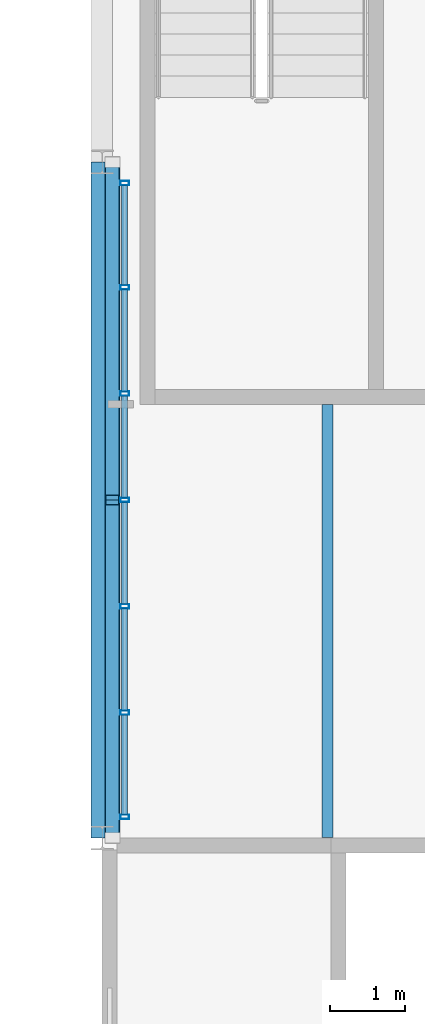
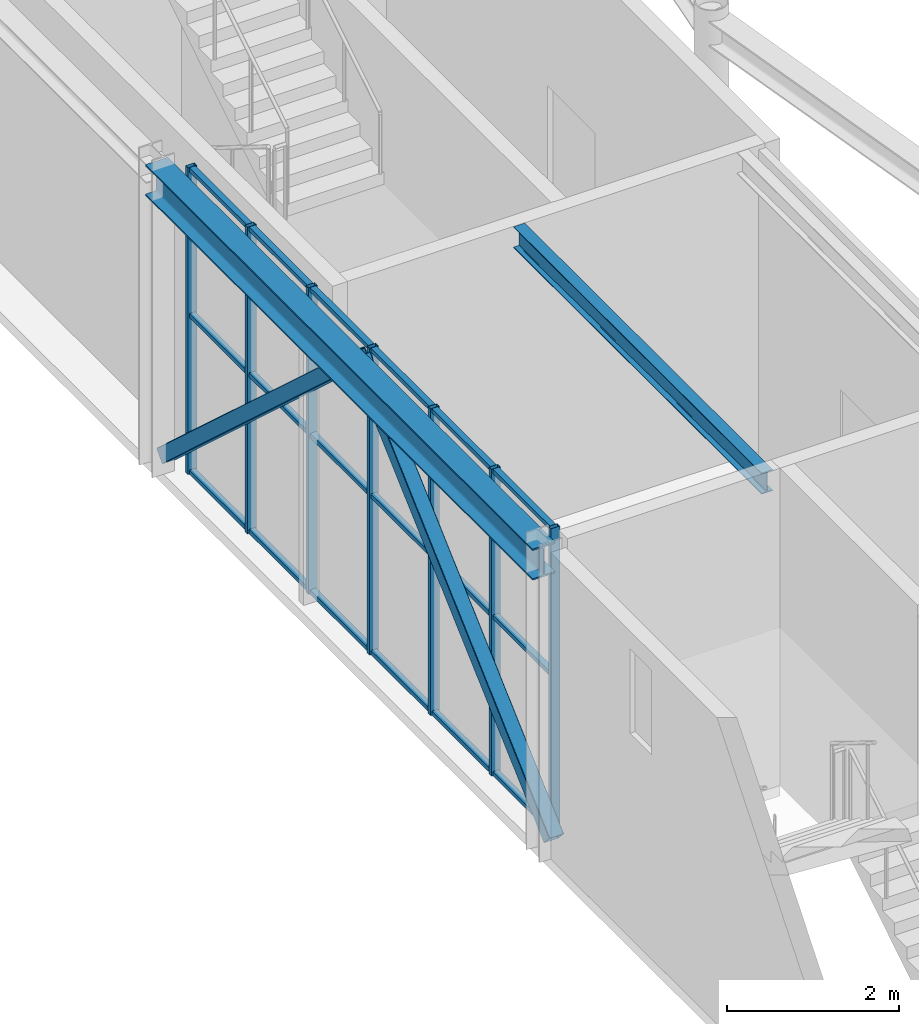
# One storey, part 29 of 111: 27 members, 2 beams, 1 element without a shape of its own.
"""IFC4 building model written with IfcOpenShell, lengths in metres."""

from ifc_helpers import new_model, si_unit, direction, frame, origin, origin_2d, place, context, subcontext, project, spatial, hollow_rectangle, i_section, extrude, material, layer, layer_set, material_profile, profile_set, type_object, element, aggregate, save


model = new_model("IFC4")

# Units and contexts
model_context = context("Model", 3, precision=1e-05, world=origin(), true_north=direction((0.0, 1.0)))
body_context = subcontext(model_context, "Body", "Model", "MODEL_VIEW")
ifc_project = project(units=[si_unit("LENGTHUNIT", "METRE"), si_unit("AREAUNIT", "SQUARE_METRE"), si_unit("VOLUMEUNIT", "CUBIC_METRE"), si_unit("PLANEANGLEUNIT", "RADIAN"), si_unit("MASSUNIT", "GRAM", prefix="KILO")], contexts=[model_context])

# Site, building, storey
site_placement = place(None, origin())
site = spatial("IfcSite", under=ifc_project, at=site_placement, CompositionType="ELEMENT")
building_placement = place(site_placement, origin())
building = spatial("IfcBuilding", under=site, at=building_placement, Name="Kallimachos Central Library", CompositionType="ELEMENT")
storey_placement = place(building_placement, frame((0.0, 0.0, 14.39990234375)))
storey = spatial("IfcBuildingStorey", under=building, at=storey_placement, Name="L03", CompositionType="ELEMENT", Elevation=14.39990234375)

# Curtain wall, members
ifc_material_1 = material(Name="Anodised aluminium and laminated glass", Category="aluminium")
ifc_layer = layer(ifc_material_1, 0.159912109375)
ifc_layer_set = layer_set([ifc_layer], Name="Glass box curtain wall")
curtain_wall_type = type_object("IfcCurtainWallType", Name="Glass box curtain wall", PredefinedType="NOTDEFINED", material=ifc_layer_set)
curtain_wall_placement = place(storey_placement, origin())
curtain_wall = element("IfcCurtainWall", 1, at=curtain_wall_placement, inside=storey, type_object=curtain_wall_type, Name="Glass box curtain wall W L03", PredefinedType="NOTDEFINED")
ifc_material_2 = material(Name="Anodised aluminium", Category="aluminium")
ifc_material_profile_1 = material_profile(ifc_material_2, hollow_rectangle(XDim=0.06005859375, YDim=0.1201171875, WallThickness=0.00390625, at=origin_2d()), Name="ALU MULLION 60x120")
ifc_profile_set_1 = profile_set([ifc_material_profile_1], Name="Anodised aluminium")
member_type_1 = type_object("IfcMemberType", Name="Glass box mullion 60x120", PredefinedType="MULLION", material=ifc_profile_set_1)
member_1_placement = place(storey_placement, frame((65.800048828125, 96.280029296875, 0.0), z_axis=(0.0, 0.0, 1.0), x_axis=(0.0, 1.0, 0.0)))
member_1 = element("IfcMember", 2, at=member_1_placement, type_object=member_type_1, Name="CW23 mullion 1", PredefinedType="MULLION", context=body_context, shape_type="SweptSolid", body=[
    extrude(hollow_rectangle(XDim=0.06005859375, YDim=0.1201171875, WallThickness=0.00390625, at=origin_2d()), origin(), (0.0, 0.0, 1.0), 4.35009765625),
])
member_2_placement = place(storey_placement, frame((65.800048828125, 97.666748046875, 0.0), z_axis=(0.0, 0.0, 1.0), x_axis=(0.0, 1.0, 0.0)))
member_2 = element("IfcMember", 3, at=member_2_placement, type_object=member_type_1, Name="CW23 mullion 2", PredefinedType="MULLION", context=body_context, shape_type="SweptSolid", body=[
    extrude(hollow_rectangle(XDim=0.06005859375, YDim=0.1201171875, WallThickness=0.00390625, at=origin_2d()), origin(), (0.0, 0.0, 1.0), 4.35009765625),
])
member_3_placement = place(storey_placement, frame((65.800048828125, 99.083251953125, 0.0), z_axis=(0.0, 0.0, 1.0), x_axis=(0.0, 1.0, 0.0)))
member_3 = element("IfcMember", 4, at=member_3_placement, type_object=member_type_1, Name="CW23 mullion 3", PredefinedType="MULLION", context=body_context, shape_type="SweptSolid", body=[
    extrude(hollow_rectangle(XDim=0.06005859375, YDim=0.1201171875, WallThickness=0.00390625, at=origin_2d()), origin(), (0.0, 0.0, 1.0), 4.35009765625),
])
member_4_placement = place(storey_placement, frame((65.800048828125, 100.5, 0.0), z_axis=(0.0, 0.0, 1.0), x_axis=(0.0, 1.0, 0.0)))
member_4 = element("IfcMember", 5, at=member_4_placement, type_object=member_type_1, Name="CW23 mullion 4", PredefinedType="MULLION", context=body_context, shape_type="SweptSolid", body=[
    extrude(hollow_rectangle(XDim=0.06005859375, YDim=0.1201171875, WallThickness=0.00390625, at=origin_2d()), origin(), (0.0, 0.0, 1.0), 4.35009765625),
])
member_5_placement = place(storey_placement, frame((65.800048828125, 101.916748046875, 0.0), z_axis=(0.0, 0.0, 1.0), x_axis=(0.0, 1.0, 0.0)))
member_5 = element("IfcMember", 6, at=member_5_placement, type_object=member_type_1, Name="CW23 mullion 5", PredefinedType="MULLION", context=body_context, shape_type="SweptSolid", body=[
    extrude(hollow_rectangle(XDim=0.06005859375, YDim=0.1201171875, WallThickness=0.00390625, at=origin_2d()), origin(), (0.0, 0.0, 1.0), 4.35009765625),
])
member_6_placement = place(storey_placement, frame((65.800048828125, 103.333251953125, 0.0), z_axis=(0.0, 0.0, 1.0), x_axis=(0.0, 1.0, 0.0)))
member_6 = element("IfcMember", 7, at=member_6_placement, type_object=member_type_1, Name="CW23 mullion 6", PredefinedType="MULLION", context=body_context, shape_type="SweptSolid", body=[
    extrude(hollow_rectangle(XDim=0.06005859375, YDim=0.1201171875, WallThickness=0.00390625, at=origin_2d()), origin(), (0.0, 0.0, 1.0), 4.35009765625),
])
member_7_placement = place(storey_placement, frame((65.800048828125, 104.719970703125, 0.0), z_axis=(0.0, 0.0, 1.0), x_axis=(0.0, 1.0, 0.0)))
member_7 = element("IfcMember", 8, at=member_7_placement, type_object=member_type_1, Name="CW23 mullion 7", PredefinedType="MULLION", context=body_context, shape_type="SweptSolid", body=[
    extrude(hollow_rectangle(XDim=0.06005859375, YDim=0.1201171875, WallThickness=0.00390625, at=origin_2d()), origin(), (0.0, 0.0, 1.0), 4.35009765625),
])
ifc_material_3 = material(Name="Anodised aluminium", Category="aluminium")
ifc_material_profile_2 = material_profile(ifc_material_3, hollow_rectangle(XDim=0.06005859375, YDim=0.080078125, WallThickness=0.00390625, at=origin_2d()), Name="ALU TRANSOM 60x80")
ifc_profile_set_2 = profile_set([ifc_material_profile_2], Name="Anodised aluminium")
member_type_2 = type_object("IfcMemberType", Name="Glass box transom 60x80", PredefinedType="USERDEFINED", material=ifc_profile_set_2)
member_8_placement = place(storey_placement, frame((65.800048828125, 96.31005859375, 0.030029296875), z_axis=(0.0, 1.0, 0.0), x_axis=(0.0, 0.0, 1.0)))
member_8 = element("IfcMember", 9, at=member_8_placement, type_object=member_type_2, Name="CW23 transom 1.1", ObjectType="TRANSOM", PredefinedType="USERDEFINED", context=body_context, shape_type="SweptSolid", body=[
    extrude(hollow_rectangle(XDim=0.06005859375, YDim=0.080078125, WallThickness=0.00390625, at=origin_2d()), origin(), (0.0, 0.0, 1.0), 1.32666015625),
])
member_9_placement = place(storey_placement, frame((65.800048828125, 96.31005859375, 2.25), z_axis=(0.0, 1.0, 0.0), x_axis=(0.0, 0.0, 1.0)))
member_9 = element("IfcMember", 10, at=member_9_placement, type_object=member_type_2, Name="CW23 transom 1.2", ObjectType="TRANSOM", PredefinedType="USERDEFINED", context=body_context, shape_type="SweptSolid", body=[
    extrude(hollow_rectangle(XDim=0.06005859375, YDim=0.080078125, WallThickness=0.00390625, at=origin_2d()), origin(), (0.0, 0.0, 1.0), 1.32666015625),
])
member_10_placement = place(storey_placement, frame((65.800048828125, 96.31005859375, 4.320068359375), z_axis=(0.0, 1.0, 0.0), x_axis=(0.0, 0.0, 1.0)))
member_10 = element("IfcMember", 11, at=member_10_placement, type_object=member_type_2, Name="CW23 transom 1.3", ObjectType="TRANSOM", PredefinedType="USERDEFINED", context=body_context, shape_type="SweptSolid", body=[
    extrude(hollow_rectangle(XDim=0.06005859375, YDim=0.080078125, WallThickness=0.00390625, at=origin_2d()), origin(), (0.0, 0.0, 1.0), 1.32666015625),
])
member_11_placement = place(storey_placement, frame((65.800048828125, 97.69677734375, 0.030029296875), z_axis=(0.0, 1.0, 0.0), x_axis=(0.0, 0.0, 1.0)))
member_11 = element("IfcMember", 12, at=member_11_placement, type_object=member_type_2, Name="CW23 transom 2.1", ObjectType="TRANSOM", PredefinedType="USERDEFINED", context=body_context, shape_type="SweptSolid", body=[
    extrude(hollow_rectangle(XDim=0.06005859375, YDim=0.080078125, WallThickness=0.00390625, at=origin_2d()), origin(), (0.0, 0.0, 1.0), 1.3564453125),
])
member_12_placement = place(storey_placement, frame((65.800048828125, 97.69677734375, 2.25), z_axis=(0.0, 1.0, 0.0), x_axis=(0.0, 0.0, 1.0)))
member_12 = element("IfcMember", 13, at=member_12_placement, type_object=member_type_2, Name="CW23 transom 2.2", ObjectType="TRANSOM", PredefinedType="USERDEFINED", context=body_context, shape_type="SweptSolid", body=[
    extrude(hollow_rectangle(XDim=0.06005859375, YDim=0.080078125, WallThickness=0.00390625, at=origin_2d()), origin(), (0.0, 0.0, 1.0), 1.3564453125),
])
member_13_placement = place(storey_placement, frame((65.800048828125, 97.69677734375, 4.320068359375), z_axis=(0.0, 1.0, 0.0), x_axis=(0.0, 0.0, 1.0)))
member_13 = element("IfcMember", 14, at=member_13_placement, type_object=member_type_2, Name="CW23 transom 2.3", ObjectType="TRANSOM", PredefinedType="USERDEFINED", context=body_context, shape_type="SweptSolid", body=[
    extrude(hollow_rectangle(XDim=0.06005859375, YDim=0.080078125, WallThickness=0.00390625, at=origin_2d()), origin(), (0.0, 0.0, 1.0), 1.3564453125),
])
member_14_placement = place(storey_placement, frame((65.800048828125, 99.11328125, 0.030029296875), z_axis=(0.0, 1.0, 0.0), x_axis=(0.0, 0.0, 1.0)))
member_14 = element("IfcMember", 15, at=member_14_placement, type_object=member_type_2, Name="CW23 transom 3.1", ObjectType="TRANSOM", PredefinedType="USERDEFINED", context=body_context, shape_type="SweptSolid", body=[
    extrude(hollow_rectangle(XDim=0.06005859375, YDim=0.080078125, WallThickness=0.00390625, at=origin_2d()), origin(), (0.0, 0.0, 1.0), 1.356689453125),
])
member_15_placement = place(storey_placement, frame((65.800048828125, 99.11328125, 2.25), z_axis=(0.0, 1.0, 0.0), x_axis=(0.0, 0.0, 1.0)))
member_15 = element("IfcMember", 16, at=member_15_placement, type_object=member_type_2, Name="CW23 transom 3.2", ObjectType="TRANSOM", PredefinedType="USERDEFINED", context=body_context, shape_type="SweptSolid", body=[
    extrude(hollow_rectangle(XDim=0.06005859375, YDim=0.080078125, WallThickness=0.00390625, at=origin_2d()), origin(), (0.0, 0.0, 1.0), 1.356689453125),
])
member_16_placement = place(storey_placement, frame((65.800048828125, 99.11328125, 4.320068359375), z_axis=(0.0, 1.0, 0.0), x_axis=(0.0, 0.0, 1.0)))
member_16 = element("IfcMember", 17, at=member_16_placement, type_object=member_type_2, Name="CW23 transom 3.3", ObjectType="TRANSOM", PredefinedType="USERDEFINED", context=body_context, shape_type="SweptSolid", body=[
    extrude(hollow_rectangle(XDim=0.06005859375, YDim=0.080078125, WallThickness=0.00390625, at=origin_2d()), origin(), (0.0, 0.0, 1.0), 1.356689453125),
])
member_17_placement = place(storey_placement, frame((65.800048828125, 100.530029296875, 0.030029296875), z_axis=(0.0, 1.0, 0.0), x_axis=(0.0, 0.0, 1.0)))
member_17 = element("IfcMember", 18, at=member_17_placement, type_object=member_type_2, Name="CW23 transom 4.1", ObjectType="TRANSOM", PredefinedType="USERDEFINED", context=body_context, shape_type="SweptSolid", body=[
    extrude(hollow_rectangle(XDim=0.06005859375, YDim=0.080078125, WallThickness=0.00390625, at=origin_2d()), origin(), (0.0, 0.0, 1.0), 1.356689453125),
])
member_18_placement = place(storey_placement, frame((65.800048828125, 100.530029296875, 2.25), z_axis=(0.0, 1.0, 0.0), x_axis=(0.0, 0.0, 1.0)))
member_18 = element("IfcMember", 19, at=member_18_placement, type_object=member_type_2, Name="CW23 transom 4.2", ObjectType="TRANSOM", PredefinedType="USERDEFINED", context=body_context, shape_type="SweptSolid", body=[
    extrude(hollow_rectangle(XDim=0.06005859375, YDim=0.080078125, WallThickness=0.00390625, at=origin_2d()), origin(), (0.0, 0.0, 1.0), 1.356689453125),
])
member_19_placement = place(storey_placement, frame((65.800048828125, 100.530029296875, 4.320068359375), z_axis=(0.0, 1.0, 0.0), x_axis=(0.0, 0.0, 1.0)))
member_19 = element("IfcMember", 20, at=member_19_placement, type_object=member_type_2, Name="CW23 transom 4.3", ObjectType="TRANSOM", PredefinedType="USERDEFINED", context=body_context, shape_type="SweptSolid", body=[
    extrude(hollow_rectangle(XDim=0.06005859375, YDim=0.080078125, WallThickness=0.00390625, at=origin_2d()), origin(), (0.0, 0.0, 1.0), 1.356689453125),
])
member_20_placement = place(storey_placement, frame((65.800048828125, 101.94677734375, 0.030029296875), z_axis=(0.0, 1.0, 0.0), x_axis=(0.0, 0.0, 1.0)))
member_20 = element("IfcMember", 21, at=member_20_placement, type_object=member_type_2, Name="CW23 transom 5.1", ObjectType="TRANSOM", PredefinedType="USERDEFINED", context=body_context, shape_type="SweptSolid", body=[
    extrude(hollow_rectangle(XDim=0.06005859375, YDim=0.080078125, WallThickness=0.00390625, at=origin_2d()), origin(), (0.0, 0.0, 1.0), 1.3564453125),
])
member_21_placement = place(storey_placement, frame((65.800048828125, 101.94677734375, 2.25), z_axis=(0.0, 1.0, 0.0), x_axis=(0.0, 0.0, 1.0)))
member_21 = element("IfcMember", 22, at=member_21_placement, type_object=member_type_2, Name="CW23 transom 5.2", ObjectType="TRANSOM", PredefinedType="USERDEFINED", context=body_context, shape_type="SweptSolid", body=[
    extrude(hollow_rectangle(XDim=0.06005859375, YDim=0.080078125, WallThickness=0.00390625, at=origin_2d()), origin(), (0.0, 0.0, 1.0), 1.3564453125),
])
member_22_placement = place(storey_placement, frame((65.800048828125, 101.94677734375, 4.320068359375), z_axis=(0.0, 1.0, 0.0), x_axis=(0.0, 0.0, 1.0)))
member_22 = element("IfcMember", 23, at=member_22_placement, type_object=member_type_2, Name="CW23 transom 5.3", ObjectType="TRANSOM", PredefinedType="USERDEFINED", context=body_context, shape_type="SweptSolid", body=[
    extrude(hollow_rectangle(XDim=0.06005859375, YDim=0.080078125, WallThickness=0.00390625, at=origin_2d()), origin(), (0.0, 0.0, 1.0), 1.3564453125),
])
member_23_placement = place(storey_placement, frame((65.800048828125, 103.36328125, 0.030029296875), z_axis=(0.0, 1.0, 0.0), x_axis=(0.0, 0.0, 1.0)))
member_23 = element("IfcMember", 24, at=member_23_placement, type_object=member_type_2, Name="CW23 transom 6.1", ObjectType="TRANSOM", PredefinedType="USERDEFINED", context=body_context, shape_type="SweptSolid", body=[
    extrude(hollow_rectangle(XDim=0.06005859375, YDim=0.080078125, WallThickness=0.00390625, at=origin_2d()), origin(), (0.0, 0.0, 1.0), 1.32666015625),
])
member_24_placement = place(storey_placement, frame((65.800048828125, 103.36328125, 2.25), z_axis=(0.0, 1.0, 0.0), x_axis=(0.0, 0.0, 1.0)))
member_24 = element("IfcMember", 25, at=member_24_placement, type_object=member_type_2, Name="CW23 transom 6.2", ObjectType="TRANSOM", PredefinedType="USERDEFINED", context=body_context, shape_type="SweptSolid", body=[
    extrude(hollow_rectangle(XDim=0.06005859375, YDim=0.080078125, WallThickness=0.00390625, at=origin_2d()), origin(), (0.0, 0.0, 1.0), 1.32666015625),
])
member_25_placement = place(storey_placement, frame((65.800048828125, 103.36328125, 4.320068359375), z_axis=(0.0, 1.0, 0.0), x_axis=(0.0, 0.0, 1.0)))
member_25 = element("IfcMember", 26, at=member_25_placement, type_object=member_type_2, Name="CW23 transom 6.3", ObjectType="TRANSOM", PredefinedType="USERDEFINED", context=body_context, shape_type="SweptSolid", body=[
    extrude(hollow_rectangle(XDim=0.06005859375, YDim=0.080078125, WallThickness=0.00390625, at=origin_2d()), origin(), (0.0, 0.0, 1.0), 1.32666015625),
])
aggregate(curtain_wall, [member_1, member_2, member_3, member_4, member_5, member_6, member_7, member_8, member_9, member_10, member_11, member_12, member_13, member_14, member_15, member_16, member_17, member_18, member_19, member_20, member_21, member_22, member_23, member_24, member_25])

# Beams
ifc_material_4 = material(Name="Steel S355J2", Category="steel")
ifc_material_profile_3 = material_profile(ifc_material_4, i_section(OverallWidth=0.300048828125, OverallDepth=0.43994140625, WebThickness=0.011474609375, FlangeThickness=0.02099609375, FilletRadius=0.027099609375, at=origin_2d()), Name="HEA 450")
ifc_profile_set_3 = profile_set([ifc_material_profile_3], Name="Steel S355J2")
beam_type_1 = type_object("IfcBeamType", Name="HEA 450 beam", PredefinedType="BEAM", material=ifc_profile_set_3)
beam_1_placement = place(storey_placement, frame((65.5, 96.0, 4.130126953125), z_axis=(0.0, 1.0, 0.0), x_axis=(-1.0, 0.0, 0.0)))
element("IfcBeam", 27, at=beam_1_placement, inside=storey, type_object=beam_type_1, Name="V1-BEM-L03-021", PredefinedType="BEAM", context=body_context, shape_type="SweptSolid", body=[
    extrude(i_section(OverallWidth=0.300048828125, OverallDepth=0.43994140625, WebThickness=0.011474609375, FlangeThickness=0.02099609375, FilletRadius=0.027099609375, at=origin_2d()), origin(), (0.0, 0.0, 1.0), 9.0),
])
ifc_material_5 = material(Name="Steel S355J2", Category="steel")
ifc_material_profile_4 = material_profile(ifc_material_5, i_section(OverallWidth=0.14990234375, OverallDepth=0.300048828125, WebThickness=0.007080078125, FlangeThickness=0.0107421875, FilletRadius=0.014892578125, at=origin_2d()), Name="IPE 300")
ifc_profile_set_4 = profile_set([ifc_material_profile_4], Name="Steel S355J2")
beam_type_2 = type_object("IfcBeamType", Name="IPE 300 beam", PredefinedType="BEAM", material=ifc_profile_set_4)
beam_2_placement = place(storey_placement, frame((68.5, 96.0048828125, 4.2001953125), z_axis=(0.0, 1.0, 0.0), x_axis=(-1.0, 0.0, 0.0)))
element("IfcBeam", 28, at=beam_2_placement, inside=storey, type_object=beam_type_2, Name="V1-BEM-L03-049", PredefinedType="BEAM", context=body_context, shape_type="SweptSolid", body=[
    extrude(i_section(OverallWidth=0.14990234375, OverallDepth=0.300048828125, WebThickness=0.007080078125, FlangeThickness=0.0107421875, FilletRadius=0.014892578125, at=origin_2d()), origin(), (0.0, 0.0, 1.0), 5.76513671875),
])

# Members
ifc_material_6 = material(Name="Steel S355J2H", Category="steel")
ifc_material_profile_5 = material_profile(ifc_material_6, hollow_rectangle(XDim=0.199951171875, YDim=0.199951171875, WallThickness=0.010009765625, InnerFilletRadius=0.010009765625, OuterFilletRadius=0.014892578125, at=origin_2d()), Name="SHS 200x200x10")
ifc_profile_set_5 = profile_set([ifc_material_profile_5], Name="Steel S355J2H")
member_type_3 = type_object("IfcMemberType", Name="SHS 200x200x10 brace", PredefinedType="BRACE", material=ifc_profile_set_5)
for number, where, z_axis, x_axis, name in (
    (29, (65.635009765625, 96.0, 0.150146484375), (0.0, 0.7392083166, 0.673476847909), (-1.0, 0.0, 0.0), "Chevron brace 65.5 L03"),
    (30, (65.635009765625, 105.0, 0.150146484375), (0.0, -0.7392083166, 0.673476847909), (1.0, 0.0, 0.0), "Chevron brace 65.5 L03"),
):
    element("IfcMember", number, at=place(storey_placement, frame(where, z_axis=z_axis, x_axis=x_axis)), inside=storey, type_object=member_type_3, Name=name, PredefinedType="BRACE", context=body_context, shape_type="SweptSolid", body=[
        extrude(hollow_rectangle(XDim=0.199951171875, YDim=0.199951171875, WallThickness=0.010009765625, InnerFilletRadius=0.010009765625, OuterFilletRadius=0.014892578125, at=origin_2d()), origin(), (0.0, 0.0, 1.0), 6.087646484375),
    ])

save(model, "model.ifc")
